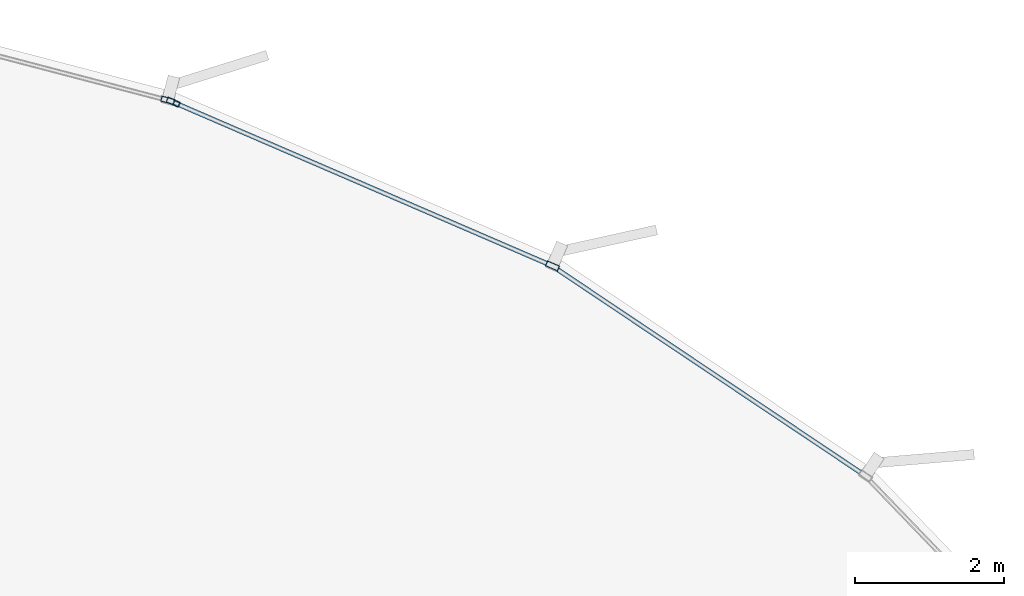
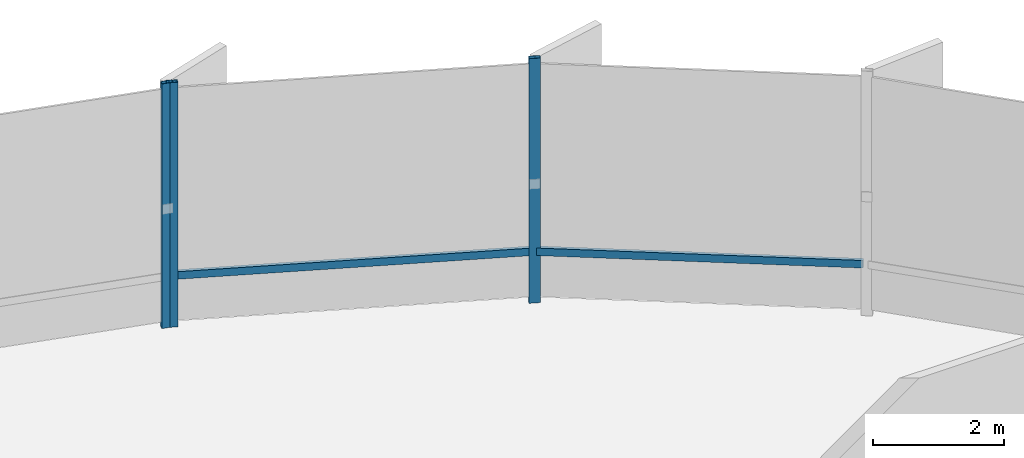
# One storey, part 22 of 34: 5 members, 2 elements without a shape of their own.
"""IFC4 building model written with IfcOpenShell, lengths in metres."""

from ifc_helpers import new_model, si_unit, direction, frame, origin, origin_2d, place, context, subcontext, project, spatial, hollow_rectangle, extrude, source, transform, mapped, material, layer, layer_set, material_profile, profile_set, type_object, element, aggregate, save


model = new_model("IFC4")

# Units and contexts
model_context = context("Model", 3, precision=1e-05, world=origin(), true_north=direction((0.0, 1.0)))
body_context = subcontext(model_context, "Body", "Model", "MODEL_VIEW")
ifc_project = project(units=[si_unit("LENGTHUNIT", "METRE"), si_unit("AREAUNIT", "SQUARE_METRE"), si_unit("VOLUMEUNIT", "CUBIC_METRE"), si_unit("PLANEANGLEUNIT", "RADIAN"), si_unit("MASSUNIT", "GRAM", prefix="KILO"), si_unit("THERMODYNAMICTEMPERATUREUNIT", "KELVIN")], contexts=[model_context])

# Site, building, storey
site_placement = place(None, origin())
site = spatial("IfcSite", under=ifc_project, at=site_placement, CompositionType="ELEMENT")
building_placement = place(site_placement, origin())
building = spatial("IfcBuilding", under=site, at=building_placement, Name="Kethvar Cultural Tower", CompositionType="ELEMENT")
storey_placement = place(building_placement, frame((0.0, 0.0, 5.199951171875)))
storey = spatial("IfcBuildingStorey", under=building, at=storey_placement, Name="L01", CompositionType="ELEMENT", Elevation=5.199951171875)

# Curtain wall, members
ifc_material = material(Name="Aluminium 6063-T6", Category="aluminium")
ifc_layer = layer(ifc_material, 0.179931640625, Name="Aluminium 6063-T6", Category="aluminium")
ifc_layer_set = layer_set([ifc_layer], Name="Aluminium 6063-T6 (180 mm)")
curtain_wall_type = type_object("IfcCurtainWallType", Name="CW-SYS-01-POD", PredefinedType="NOTDEFINED", material=ifc_layer_set)
curtain_wall_1_placement = place(storey_placement, origin())
curtain_wall_1 = element("IfcCurtainWall", 1, at=curtain_wall_1_placement, inside=storey, type_object=curtain_wall_type, Name="L01 Curtain Wall Run 01", PredefinedType="NOTDEFINED")
ifc_material_profile_1 = material_profile(ifc_material, hollow_rectangle(XDim=0.06005859375, YDim=0.139892578125, WallThickness=0.0048828125, at=origin_2d()), Name="Aluminium 6063-T6 — RHS140x60x5")
ifc_profile_set_1 = profile_set([ifc_material_profile_1], Name="Aluminium 6063-T6 — RHS140x60x5")
member_type_1 = type_object("IfcMemberType", Name="CW-SYS-01-POD-TRN", PredefinedType="USERDEFINED", material=ifc_profile_set_1)
shared_shape_1 = source(origin(), body_context, "Body", "SweptSolid", [
    extrude(hollow_rectangle(XDim=0.06005859375, YDim=0.139892578125, WallThickness=0.0048828125, at=origin_2d()), origin(), (0.0, 0.0, 1.0), 4.991455078125),
])
member_1_placement = place(storey_placement, frame((75.44580078125, 47.367919921875, 0.949951171875), z_axis=(-0.830806616573, 0.556561196867, 0.0), x_axis=(-0.556561196867, -0.830806616573, 0.0)))
member_1 = element("IfcMember", 2, at=member_1_placement, type_object=member_type_1, Name="CW-L01-R01 Transom 5", ObjectType="TRANSOM", PredefinedType="USERDEFINED", context=body_context, shape_type="MappedRepresentation", body=[
    mapped(shared_shape_1, transform((0.0, 0.0, 0.0), scale=1.0)),
])
shared_shape_2 = source(origin(), body_context, "Body", "SweptSolid", [
    extrude(hollow_rectangle(XDim=0.06005859375, YDim=0.139892578125, WallThickness=0.0048828125, at=origin_2d()), origin(), (0.0, 0.0, 1.0), 5.504638671875),
])
member_2_placement = place(storey_placement, frame((71.22509765625, 50.18603515625, 0.949951171875), z_axis=(-0.918072625283, 0.39641222825, 0.0), x_axis=(-0.39641222825, -0.918072625283, 0.0)))
member_2 = element("IfcMember", 3, at=member_2_placement, type_object=member_type_1, Name="CW-L01-R01 Transom 6", ObjectType="TRANSOM", PredefinedType="USERDEFINED", context=body_context, shape_type="MappedRepresentation", body=[
    mapped(shared_shape_2, transform((0.0, 0.0, 0.0), scale=1.0)),
])
ifc_material_profile_2 = material_profile(ifc_material, hollow_rectangle(XDim=0.074951171875, YDim=0.179931640625, WallThickness=0.006103515625, at=origin_2d()), Name="Aluminium 6063-T6 — RHS180x75x6")
ifc_profile_set_2 = profile_set([ifc_material_profile_2], Name="Aluminium 6063-T6 — RHS180x75x6")
member_type_2 = type_object("IfcMemberType", Name="CW-SYS-01-POD-MUL", PredefinedType="MULLION", material=ifc_profile_set_2)
shared_shape_3 = source(origin(), body_context, "Body", "SweptSolid", [
    extrude(hollow_rectangle(XDim=0.074951171875, YDim=0.179931640625, WallThickness=0.006103515625, at=origin_2d()), origin(), (0.0, 0.0, 1.0), 4.550048828125),
])
member_3_placement = place(storey_placement, frame((71.27490234375, 50.164794921875, 0.0), z_axis=(0.0, 0.0, 1.0), x_axis=(-0.396410942082, -0.918073180633, 0.0)))
member_3 = element("IfcMember", 4, at=member_3_placement, type_object=member_type_2, Name="CW-L01-R01 Mullion 6", PredefinedType="MULLION", context=body_context, shape_type="MappedRepresentation", body=[
    mapped(shared_shape_3, transform((0.0, 0.0, 0.0), scale=1.0)),
])
member_4_placement = place(storey_placement, frame((66.16650390625, 52.370361328125, 0.0), z_axis=(0.0, 0.0, 1.0), x_axis=(-0.396410942082, -0.918073180633, 0.0)))
member_4 = element("IfcMember", 5, at=member_4_placement, type_object=member_type_2, Name="CW-L01-R01 Mullion 7", PredefinedType="MULLION", context=body_context, shape_type="MappedRepresentation", body=[
    mapped(shared_shape_3, transform((0.0, 0.0, 0.0), scale=1.0)),
])
aggregate(curtain_wall_1, [member_3, member_4, member_1, member_2])

# Curtain wall, member
curtain_wall_2_placement = place(storey_placement, origin())
curtain_wall_2 = element("IfcCurtainWall", 6, at=curtain_wall_2_placement, inside=storey, type_object=curtain_wall_type, Name="L01 Curtain Wall Run 02", PredefinedType="NOTDEFINED")
member_5_placement = place(storey_placement, frame((66.09326171875, 52.3955078125, 0.0), z_axis=(0.0, 0.0, 1.0), x_axis=(-0.253031946887, -0.967457923558, 0.0)))
member_5 = element("IfcMember", 7, at=member_5_placement, type_object=member_type_2, Name="CW-L01-R02 Mullion 1", PredefinedType="MULLION", context=body_context, shape_type="MappedRepresentation", body=[
    mapped(shared_shape_3, transform((0.0, 0.0, 0.0), scale=1.0)),
])
aggregate(curtain_wall_2, [member_5])

save(model, "model.ifc")
